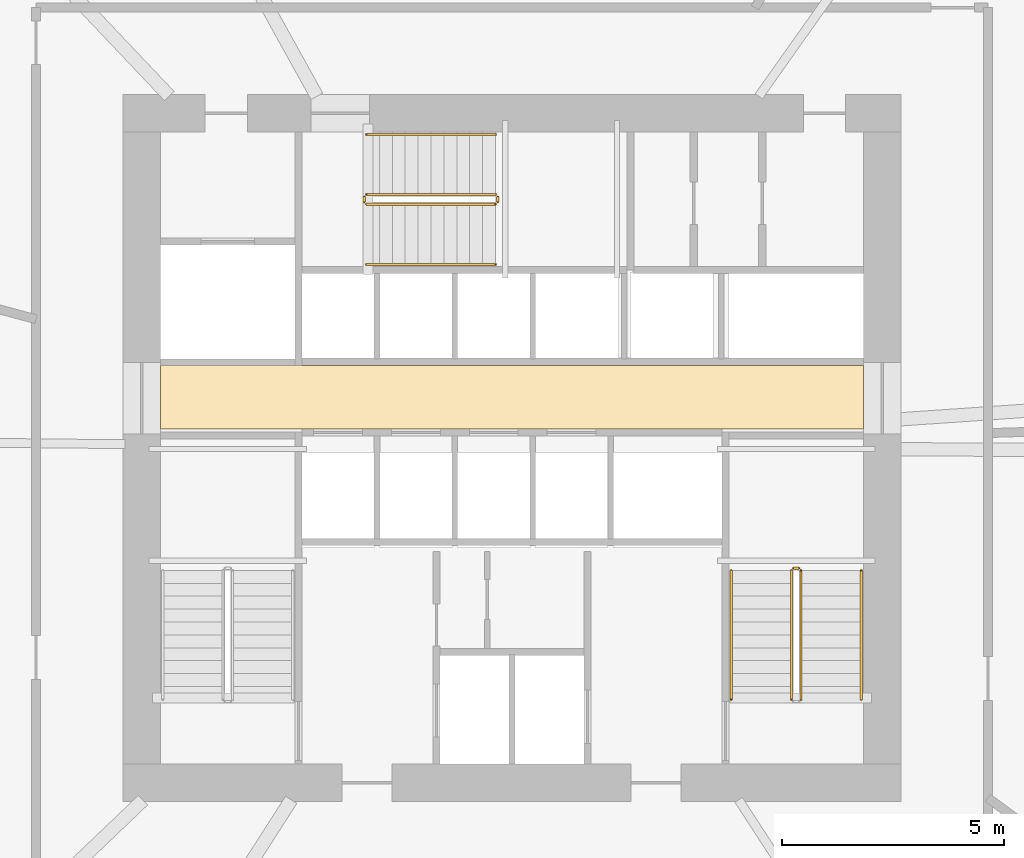
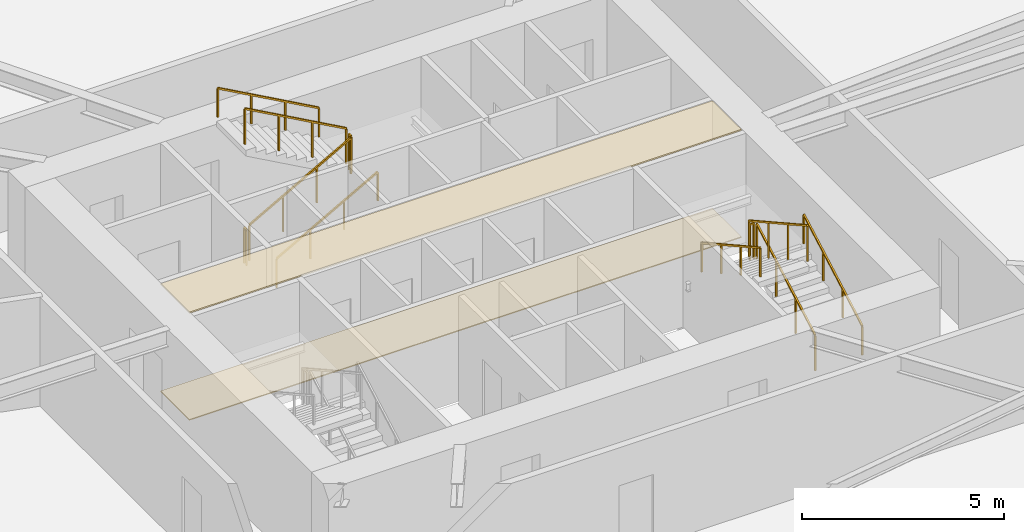
# One storey, part 21 of 23: 11 railings, 2 coverings.
"""IFC4 building model written with IfcOpenShell, lengths in metres."""

from ifc_helpers import new_model, si_unit, direction, frame, origin, origin_2d, place, context, subcontext, project, spatial, polyline, rectangle, outline, extrude, material, layer, layer_set, type_object, element, save


model = new_model("IFC4")

# Units and contexts
model_context = context("Model", 3, precision=1e-05, world=origin(), true_north=direction((0.0, 1.0)))
body_context = subcontext(model_context, "Body", "Model", "MODEL_VIEW")
ifc_project = project(units=[si_unit("LENGTHUNIT", "METRE"), si_unit("AREAUNIT", "SQUARE_METRE"), si_unit("VOLUMEUNIT", "CUBIC_METRE"), si_unit("PLANEANGLEUNIT", "RADIAN"), si_unit("MASSUNIT", "GRAM", prefix="KILO")], contexts=[model_context])

# Site, building, storey
site_placement = place(None, origin())
site = spatial("IfcSite", under=ifc_project, at=site_placement, CompositionType="ELEMENT")
building_placement = place(site_placement, origin())
building = spatial("IfcBuilding", under=site, at=building_placement, Name="Olszyna Solenne Hotel", CompositionType="ELEMENT")
storey_placement = place(building_placement, frame((0.0, 0.0, 32.85009765625)))
storey = spatial("IfcBuildingStorey", under=building, at=storey_placement, Name="L07", CompositionType="ELEMENT", Elevation=32.85009765625)

# Coverings
ifc_material_1 = material(Name="Mineral wool acoustic ceiling")
ifc_layer_1 = layer(ifc_material_1, 0.0400390625, Name="Mineral wool acoustic ceiling")
ifc_layer_set_1 = layer_set([ifc_layer_1], Name="Mineral wool acoustic ceiling")
covering_type_1 = type_object("IfcCoveringType", Name="CL-AC1", PredefinedType="CEILING", material=ifc_layer_set_1)
covering_1_placement = place(storey_placement, frame((0.0, 0.0, 3.239990234375)))
element("IfcCovering", 1, at=covering_1_placement, inside=storey, type_object=covering_type_1, Name="Lift lobby acoustic tile ceiling CL-L07-01", PredefinedType="CEILING", context=body_context, shape_type="SweptSolid", body=[
    extrude(outline(polyline([(30.10009765625, 27.030029296875), (45.89990234375, 27.030029296875), (45.89990234375, 28.4599609375), (30.10009765625, 28.4599609375), (30.10009765625, 27.030029296875)])), origin(), (0.0, 0.0, 1.0), 0.039794921875),
])
ifc_material_2 = material(Name="Ceramic floor tile")
ifc_layer_2 = layer(ifc_material_2, 0.030029296875, Name="Ceramic floor tile")
ifc_layer_set_2 = layer_set([ifc_layer_2], Name="Ceramic floor tile")
covering_type_2 = type_object("IfcCoveringType", Name="FL-TL1", PredefinedType="FLOORING", material=ifc_layer_set_2)
covering_2_placement = place(storey_placement, origin())
element("IfcCovering", 2, at=covering_2_placement, inside=storey, type_object=covering_type_2, Name="Lift lobby stoneware floor finish FLR-L07-01", PredefinedType="FLOORING", context=body_context, shape_type="SweptSolid", body=[
    extrude(outline(polyline([(30.10009765625, 27.030029296875), (45.89990234375, 27.030029296875), (45.89990234375, 28.4599609375), (30.10009765625, 28.4599609375), (30.10009765625, 27.030029296875)])), origin(), (0.0, 0.0, 1.0), 0.02978515625),
])

# Railings
ifc_material_3 = material(Name="Anodised bronze aluminium", Category="aluminium")
railing_type_1 = type_object("IfcRailingType", Name="GR-110", PredefinedType="BALUSTRADE", material=ifc_material_3)
railing_1_placement = place(storey_placement, frame((44.5, 20.949951171875, 0.161376953125)))
element("IfcRailing", 3, at=railing_1_placement, inside=storey, type_object=railing_type_1, Name="L07 ST2 stair guard 1", PredefinedType="BALUSTRADE", context=body_context, shape_type="SweptSolid", body=[
    extrude(rectangle(XDim=0.048095703125, YDim=0.048095703125, at=origin_2d()), frame((0.0, 0.0, 1.076171875), z_axis=(0.0, 0.873858693841, 0.486179990537), x_axis=(-1.0, 0.0, 0.0)), (0.0, 0.0, 1.0), 3.31884765625),
    extrude(rectangle(XDim=0.0419921875, YDim=0.0419921875, at=origin_2d()), origin(), (0.0, 0.0, 1.0), 1.052001953125),
    extrude(rectangle(XDim=0.0419921875, YDim=0.0419921875, at=origin_2d()), frame((0.0, 0.966796875, 0.537841796875)), (0.0, 0.0, 1.0), 1.052001953125),
    extrude(rectangle(XDim=0.0419921875, YDim=0.0419921875, at=origin_2d()), frame((0.0, 1.933349609375, 1.07568359375)), (0.0, 0.0, 1.0), 1.052001953125),
    extrude(rectangle(XDim=0.0419921875, YDim=0.0419921875, at=origin_2d()), frame((0.0, 2.900146484375, 1.613525390625)), (0.0, 0.0, 1.0), 1.052001953125),
])
railing_2_placement = place(storey_placement, frame((44.449951171875, 23.89990234375, 1.77490234375)))
element("IfcRailing", 4, at=railing_2_placement, inside=storey, type_object=railing_type_1, Name="L07 ST2 stair guard 2", PredefinedType="BALUSTRADE", context=body_context, shape_type="SweptSolid", body=[
    extrude(rectangle(XDim=0.048095703125, YDim=0.048095703125, at=origin_2d()), frame((0.0, 0.0, 1.076171875), z_axis=(-1.0, 0.0, 0.0), x_axis=(0.0, -1.0, 0.0)), (0.0, 0.0, 1.0), 0.119873046875),
    extrude(rectangle(XDim=0.0419921875, YDim=0.0419921875, at=origin_2d()), origin(), (0.0, 0.0, 1.0), 1.052001953125),
    extrude(rectangle(XDim=0.0419921875, YDim=0.0419921875, at=origin_2d()), frame((-0.119873046875, 0.0, 0.0)), (0.0, 0.0, 1.0), 1.052001953125),
])
railing_3_placement = place(storey_placement, frame((44.280029296875, 23.85009765625, 1.936279296875)))
element("IfcRailing", 5, at=railing_3_placement, inside=storey, type_object=railing_type_1, Name="L07 ST2 stair guard 3", PredefinedType="BALUSTRADE", context=body_context, shape_type="SweptSolid", body=[
    extrude(rectangle(XDim=0.048095703125, YDim=0.048095703125, at=origin_2d()), frame((0.0, 0.0, 1.076171875), z_axis=(0.0, -0.873858693841, 0.486179990537), x_axis=(1.0, 0.0, 0.0)), (0.0, 0.0, 1.0), 3.31884765625),
    extrude(rectangle(XDim=0.0419921875, YDim=0.0419921875, at=origin_2d()), origin(), (0.0, 0.0, 1.0), 1.052001953125),
    extrude(rectangle(XDim=0.0419921875, YDim=0.0419921875, at=origin_2d()), frame((0.0, -0.966796875, 0.537841796875)), (0.0, 0.0, 1.0), 1.052001953125),
    extrude(rectangle(XDim=0.0419921875, YDim=0.0419921875, at=origin_2d()), frame((0.0, -1.933349609375, 1.07568359375)), (0.0, 0.0, 1.0), 1.052001953125),
    extrude(rectangle(XDim=0.0419921875, YDim=0.0419921875, at=origin_2d()), frame((0.0, -2.900146484375, 1.613525390625)), (0.0, 0.0, 1.0), 1.052001953125),
])
railing_4_placement = place(storey_placement, frame((34.72998046875, 32.080078125, 0.161376953125)))
element("IfcRailing", 6, at=railing_4_placement, inside=storey, type_object=railing_type_1, Name="L07 ST3 stair guard 1", PredefinedType="BALUSTRADE", context=body_context, shape_type="SweptSolid", body=[
    extrude(rectangle(XDim=0.048095703125, YDim=0.048095703125, at=origin_2d()), frame((0.0, 0.0, 1.076171875), z_axis=(0.873841303929, 0.0, 0.486211245805), x_axis=(0.0, 1.0, 0.0)), (0.0, 0.0, 1.0), 3.318603515625),
    extrude(rectangle(XDim=0.0419921875, YDim=0.0419921875, at=origin_2d()), origin(), (0.0, 0.0, 1.0), 1.052001953125),
    extrude(rectangle(XDim=0.0419921875, YDim=0.0419921875, at=origin_2d()), frame((0.966552734375, 0.0, 0.537841796875)), (0.0, 0.0, 1.0), 1.052001953125),
    extrude(rectangle(XDim=0.0419921875, YDim=0.0419921875, at=origin_2d()), frame((1.933349609375, 0.0, 1.07568359375)), (0.0, 0.0, 1.0), 1.052001953125),
    extrude(rectangle(XDim=0.0419921875, YDim=0.0419921875, at=origin_2d()), frame((2.89990234375, 0.0, 1.613525390625)), (0.0, 0.0, 1.0), 1.052001953125),
])
railing_5_placement = place(storey_placement, frame((37.679931640625, 32.1298828125, 1.77490234375)))
element("IfcRailing", 7, at=railing_5_placement, inside=storey, type_object=railing_type_1, Name="L07 ST3 stair guard 2", PredefinedType="BALUSTRADE", context=body_context, shape_type="SweptSolid", body=[
    extrude(rectangle(XDim=0.048095703125, YDim=0.048095703125, at=origin_2d()), frame((0.0, 0.0, 1.076171875), z_axis=(0.0, 1.0, 0.0), x_axis=(-1.0, 0.0, 0.0)), (0.0, 0.0, 1.0), 0.1201171875),
    extrude(rectangle(XDim=0.0419921875, YDim=0.0419921875, at=origin_2d()), origin(), (0.0, 0.0, 1.0), 1.052001953125),
    extrude(rectangle(XDim=0.0419921875, YDim=0.0419921875, at=origin_2d()), frame((0.0, 0.1201171875, 0.0)), (0.0, 0.0, 1.0), 1.052001953125),
])
railing_6_placement = place(storey_placement, frame((37.6298828125, 32.300048828125, 1.936279296875)))
element("IfcRailing", 8, at=railing_6_placement, inside=storey, type_object=railing_type_1, Name="L07 ST3 stair guard 3", PredefinedType="BALUSTRADE", context=body_context, shape_type="SweptSolid", body=[
    extrude(rectangle(XDim=0.048095703125, YDim=0.048095703125, at=origin_2d()), frame((0.0, 0.0, 1.076171875), z_axis=(-0.873841303929, 0.0, 0.486211245805), x_axis=(0.0, -1.0, 0.0)), (0.0, 0.0, 1.0), 3.318603515625),
    extrude(rectangle(XDim=0.0419921875, YDim=0.0419921875, at=origin_2d()), origin(), (0.0, 0.0, 1.0), 1.052001953125),
    extrude(rectangle(XDim=0.0419921875, YDim=0.0419921875, at=origin_2d()), frame((-0.966552734375, 0.0, 0.537841796875)), (0.0, 0.0, 1.0), 1.052001953125),
    extrude(rectangle(XDim=0.0419921875, YDim=0.0419921875, at=origin_2d()), frame((-1.933349609375, 0.0, 1.07568359375)), (0.0, 0.0, 1.0), 1.052001953125),
    extrude(rectangle(XDim=0.0419921875, YDim=0.0419921875, at=origin_2d()), frame((-2.89990234375, 0.0, 1.613525390625)), (0.0, 0.0, 1.0), 1.052001953125),
])
railing_7_placement = place(storey_placement, frame((34.679931640625, 32.1298828125, 0.0)))
element("IfcRailing", 9, at=railing_7_placement, inside=storey, type_object=railing_type_1, Name="L07 ST3 stair guard 4", PredefinedType="BALUSTRADE", context=body_context, shape_type="SweptSolid", body=[
    extrude(rectangle(XDim=0.048095703125, YDim=0.048095703125, at=origin_2d()), frame((0.0, 0.0, 1.076171875), z_axis=(0.0, 1.0, 0.0), x_axis=(-1.0, 0.0, 0.0)), (0.0, 0.0, 1.0), 0.1201171875),
    extrude(rectangle(XDim=0.0419921875, YDim=0.0419921875, at=origin_2d()), origin(), (0.0, 0.0, 1.0), 1.052001953125),
    extrude(rectangle(XDim=0.0419921875, YDim=0.0419921875, at=origin_2d()), frame((0.0, 0.1201171875, 0.0)), (0.0, 0.0, 1.0), 1.052001953125),
])
ifc_material_4 = material(Name="Steel S355J2", Category="steel")
railing_type_2 = type_object("IfcRailingType", Name="HR-090", PredefinedType="HANDRAIL", material=ifc_material_4)
railing_8_placement = place(storey_placement, frame((45.85009765625, 20.949951171875, 0.161376953125)))
element("IfcRailing", 10, at=railing_8_placement, inside=storey, type_object=railing_type_2, Name="L07 ST2 stair handrail 1", PredefinedType="HANDRAIL", context=body_context, shape_type="SweptSolid", body=[
    extrude(rectangle(XDim=0.048095703125, YDim=0.048095703125, at=origin_2d()), frame((0.0, 0.0, 0.8759765625), z_axis=(0.0, 0.873858693841, 0.486179990537), x_axis=(-1.0, 0.0, 0.0)), (0.0, 0.0, 1.0), 3.31884765625),
    extrude(rectangle(XDim=0.0419921875, YDim=0.0419921875, at=origin_2d()), origin(), (0.0, 0.0, 1.0), 0.851806640625),
    extrude(rectangle(XDim=0.0419921875, YDim=0.0419921875, at=origin_2d()), frame((0.0, 0.966796875, 0.537841796875)), (0.0, 0.0, 1.0), 0.851806640625),
    extrude(rectangle(XDim=0.0419921875, YDim=0.0419921875, at=origin_2d()), frame((0.0, 1.933349609375, 1.07568359375)), (0.0, 0.0, 1.0), 0.851806640625),
    extrude(rectangle(XDim=0.0419921875, YDim=0.0419921875, at=origin_2d()), frame((0.0, 2.900146484375, 1.613525390625)), (0.0, 0.0, 1.0), 0.851806640625),
])
railing_9_placement = place(storey_placement, frame((42.929931640625, 23.85009765625, 1.936279296875)))
element("IfcRailing", 11, at=railing_9_placement, inside=storey, type_object=railing_type_2, Name="L07 ST2 stair handrail 2", PredefinedType="HANDRAIL", context=body_context, shape_type="SweptSolid", body=[
    extrude(rectangle(XDim=0.048095703125, YDim=0.048095703125, at=origin_2d()), frame((0.0, 0.0, 0.8759765625), z_axis=(0.0, -0.873858693841, 0.486179990537), x_axis=(1.0, 0.0, 0.0)), (0.0, 0.0, 1.0), 3.31884765625),
    extrude(rectangle(XDim=0.0419921875, YDim=0.0419921875, at=origin_2d()), origin(), (0.0, 0.0, 1.0), 0.851806640625),
    extrude(rectangle(XDim=0.0419921875, YDim=0.0419921875, at=origin_2d()), frame((0.0, -0.966796875, 0.537841796875)), (0.0, 0.0, 1.0), 0.851806640625),
    extrude(rectangle(XDim=0.0419921875, YDim=0.0419921875, at=origin_2d()), frame((0.0, -1.933349609375, 1.07568359375)), (0.0, 0.0, 1.0), 0.851806640625),
    extrude(rectangle(XDim=0.0419921875, YDim=0.0419921875, at=origin_2d()), frame((0.0, -2.900146484375, 1.613525390625)), (0.0, 0.0, 1.0), 0.851806640625),
])
railing_10_placement = place(storey_placement, frame((34.72998046875, 30.72998046875, 0.161376953125)))
element("IfcRailing", 12, at=railing_10_placement, inside=storey, type_object=railing_type_2, Name="L07 ST3 stair handrail 1", PredefinedType="HANDRAIL", context=body_context, shape_type="SweptSolid", body=[
    extrude(rectangle(XDim=0.048095703125, YDim=0.048095703125, at=origin_2d()), frame((0.0, 0.0, 0.8759765625), z_axis=(0.873841303929, 0.0, 0.486211245805), x_axis=(0.0, 1.0, 0.0)), (0.0, 0.0, 1.0), 3.318603515625),
    extrude(rectangle(XDim=0.0419921875, YDim=0.0419921875, at=origin_2d()), origin(), (0.0, 0.0, 1.0), 0.851806640625),
    extrude(rectangle(XDim=0.0419921875, YDim=0.0419921875, at=origin_2d()), frame((0.966552734375, 0.0, 0.537841796875)), (0.0, 0.0, 1.0), 0.851806640625),
    extrude(rectangle(XDim=0.0419921875, YDim=0.0419921875, at=origin_2d()), frame((1.933349609375, 0.0, 1.07568359375)), (0.0, 0.0, 1.0), 0.851806640625),
    extrude(rectangle(XDim=0.0419921875, YDim=0.0419921875, at=origin_2d()), frame((2.89990234375, 0.0, 1.613525390625)), (0.0, 0.0, 1.0), 0.851806640625),
])
railing_11_placement = place(storey_placement, frame((37.6298828125, 33.64990234375, 1.936279296875)))
element("IfcRailing", 13, at=railing_11_placement, inside=storey, type_object=railing_type_2, Name="L07 ST3 stair handrail 2", PredefinedType="HANDRAIL", context=body_context, shape_type="SweptSolid", body=[
    extrude(rectangle(XDim=0.048095703125, YDim=0.048095703125, at=origin_2d()), frame((0.0, 0.0, 0.8759765625), z_axis=(-0.873841303929, 0.0, 0.486211245805), x_axis=(0.0, -1.0, 0.0)), (0.0, 0.0, 1.0), 3.318603515625),
    extrude(rectangle(XDim=0.0419921875, YDim=0.0419921875, at=origin_2d()), origin(), (0.0, 0.0, 1.0), 0.851806640625),
    extrude(rectangle(XDim=0.0419921875, YDim=0.0419921875, at=origin_2d()), frame((-0.966552734375, 0.0, 0.537841796875)), (0.0, 0.0, 1.0), 0.851806640625),
    extrude(rectangle(XDim=0.0419921875, YDim=0.0419921875, at=origin_2d()), frame((-1.933349609375, 0.0, 1.07568359375)), (0.0, 0.0, 1.0), 0.851806640625),
    extrude(rectangle(XDim=0.0419921875, YDim=0.0419921875, at=origin_2d()), frame((-2.89990234375, 0.0, 1.613525390625)), (0.0, 0.0, 1.0), 0.851806640625),
])

save(model, "model.ifc")
